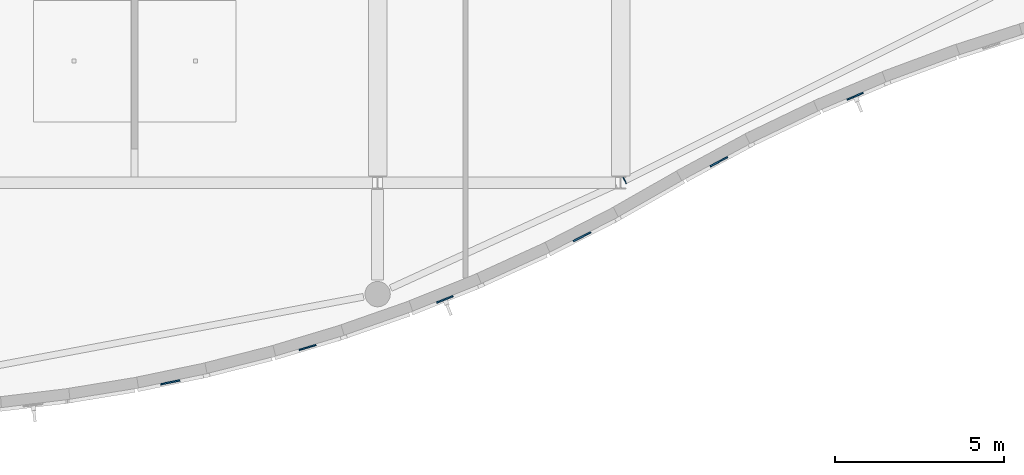
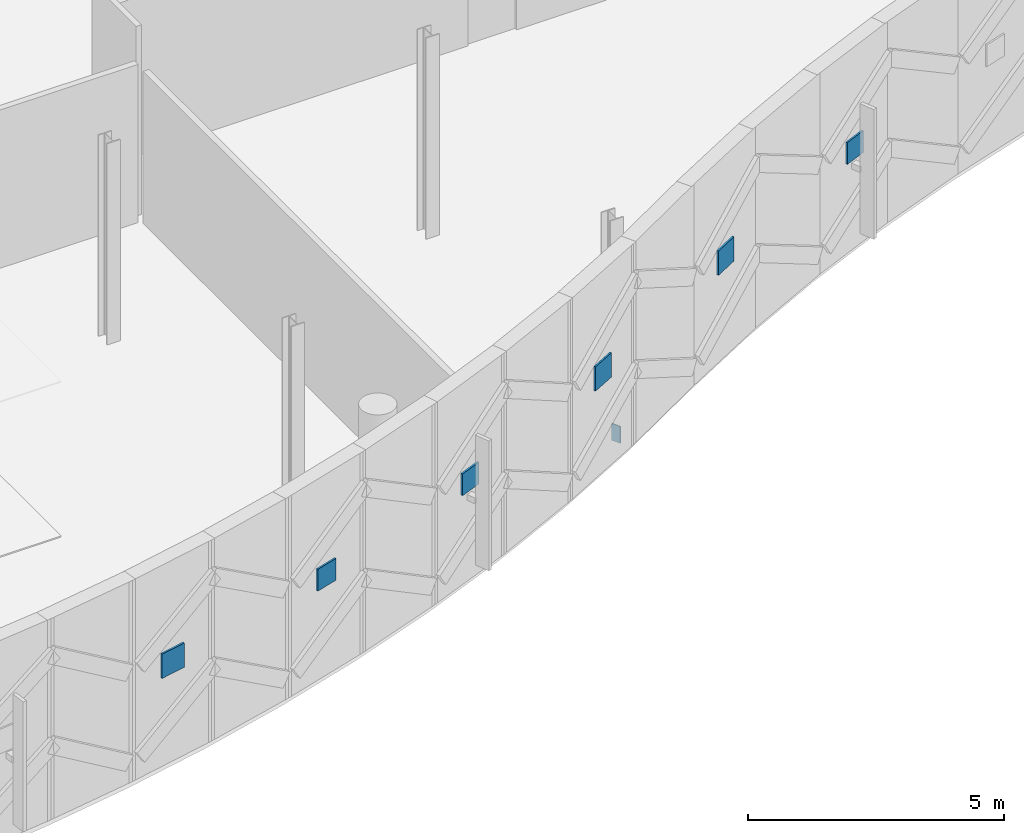
# One storey, part 126 of 193: 7 plates.
"""IFC4 building model written with IfcOpenShell, lengths in metres."""

from ifc_helpers import new_model, si_unit, direction, frame, origin, origin_2d, place, context, subcontext, project, spatial, rectangle, extrude, material, layer, layer_set, type_object, element, save


model = new_model("IFC4")

# Units and contexts
model_context = context("Model", 3, precision=1e-05, world=origin(), true_north=direction((0.0, 1.0)))
body_context = subcontext(model_context, "Body", "Model", "MODEL_VIEW")
ifc_project = project(units=[si_unit("LENGTHUNIT", "METRE"), si_unit("AREAUNIT", "SQUARE_METRE"), si_unit("VOLUMEUNIT", "CUBIC_METRE"), si_unit("PLANEANGLEUNIT", "RADIAN"), si_unit("MASSUNIT", "GRAM", prefix="KILO")], contexts=[model_context])

# Site, building, storey
site_placement = place(None, origin())
site = spatial("IfcSite", under=ifc_project, at=site_placement, CompositionType="ELEMENT")
building_placement = place(site_placement, origin())
building = spatial("IfcBuilding", under=site, at=building_placement, Name="Cendralis Lancet Convention Centre", CompositionType="ELEMENT")
storey_placement = place(building_placement, frame((0.0, 0.0, 10.199951171875)))
storey = spatial("IfcBuildingStorey", under=building, at=storey_placement, Name="L02", CompositionType="ELEMENT", Elevation=10.199951171875)

# Plates
ifc_material_1 = material(Name="Warm buff sandstone chevron cassette", Category="masonry")
ifc_layer_1 = layer(ifc_material_1, 0.044921875, Name="Warm buff sandstone chevron cassette")
ifc_layer_set_1 = layer_set([ifc_layer_1], Name="Warm buff sandstone chevron cassette")
plate_type_1 = type_object("IfcPlateType", Name="ARC-PL-CHV1", PredefinedType="SHEET", material=ifc_layer_set_1)
plate_1_placement = place(storey_placement, frame((78.055908203125, 5.599365234375, 2.130126953125), z_axis=(0.0, 0.0, 1.0), x_axis=(0.889543984432, 0.456849537333, 0.0)))
element("IfcPlate", 1, at=plate_1_placement, inside=storey, type_object=plate_type_1, Name="Chevron Keystone Cassette CHV-S1 #0059", PredefinedType="SHEET", context=body_context, shape_type="SweptSolid", body=[
    extrude(rectangle(XDim=0.580078125, YDim=0.044921875, at=origin_2d()), origin(), (0.0, 0.0, 1.0), 0.580078125),
])
ifc_material_2 = material(Name="Dark Andean slate chevron cassette", Category="masonry")
ifc_layer_2 = layer(ifc_material_2, 0.048095703125, Name="Dark Andean slate chevron cassette")
ifc_layer_set_2 = layer_set([ifc_layer_2], Name="Dark Andean slate chevron cassette")
plate_type_2 = type_object("IfcPlateType", Name="ARC-PL-CHV2", PredefinedType="SHEET", material=ifc_layer_set_2)
for number, where, z_axis, x_axis, name in (
    (2, (65.857666015625, 1.285400390625, 2.130126953125), (0.0, 0.0, 1.0), (0.979084550851, 0.203453784151, 0.0), "Chevron Keystone Cassette CHV-D1 #0050"),
    (3, (82.109375, 7.822265625, 2.130126953125), (0.0, 0.0, 1.0), (0.880179301323, 0.474641335667, 0.0), "Chevron Keystone Cassette CHV-D1 #0062"),
):
    element("IfcPlate", number, at=place(storey_placement, frame(where, z_axis=z_axis, x_axis=x_axis)), inside=storey, type_object=plate_type_2, Name=name, PredefinedType="SHEET", context=body_context, shape_type="SweptSolid", body=[
        extrude(rectangle(XDim=0.580078125, YDim=0.048095703125, at=origin_2d()), origin(), (0.0, 0.0, 1.0), 0.580078125),
    ])
ifc_layer_3 = layer(ifc_material_1, 0.044921875, Name="Warm buff sandstone chevron cassette")
ifc_layer_set_3 = layer_set([ifc_layer_3], Name="Warm buff sandstone chevron cassette")
plate_type_3 = type_object("IfcPlateType", Name="ARC-PL-CHV3", PredefinedType="SHEET", material=ifc_layer_set_3)
for number, where, z_axis, x_axis, name in (
    (4, (69.923828125, 2.318359375, 2.16015625), (0.0, 0.0, 1.0), (0.957631699488, 0.287995708538, 0.0), "Chevron Keystone Cassette CHV-S2 #0053"),
    (5, (86.144775390625, 9.76171875, 2.16015625), (0.0, 0.0, 1.0), (0.920756984653, 0.390136610961, 0.0), "Chevron Keystone Cassette CHV-S2 #0065"),
):
    element("IfcPlate", number, at=place(storey_placement, frame(where, z_axis=z_axis, x_axis=x_axis)), inside=storey, type_object=plate_type_3, Name=name, PredefinedType="SHEET", context=body_context, shape_type="SweptSolid", body=[
        extrude(rectangle(XDim=0.52001953125, YDim=0.044921875, at=origin_2d()), origin(), (0.0, 0.0, 1.0), 0.52001953125),
    ])
ifc_layer_4 = layer(ifc_material_2, 0.048095703125, Name="Dark Andean slate chevron cassette")
ifc_layer_set_4 = layer_set([ifc_layer_4], Name="Dark Andean slate chevron cassette")
plate_type_4 = type_object("IfcPlateType", Name="ARC-PL-CHV4", PredefinedType="SHEET", material=ifc_layer_set_4)
plate_2_placement = place(storey_placement, frame((73.989990234375, 3.742919921875, 2.16015625), z_axis=(0.0, 0.0, 1.0), x_axis=(0.928063926041, 0.372420930105, 0.0)))
element("IfcPlate", 6, at=plate_2_placement, inside=storey, type_object=plate_type_4, Name="Chevron Keystone Cassette CHV-D2 #0056", PredefinedType="SHEET", context=body_context, shape_type="SweptSolid", body=[
    extrude(rectangle(XDim=0.52001953125, YDim=0.048095703125, at=origin_2d()), origin(), (0.0, 0.0, 1.0), 0.52001953125),
])
ifc_material_3 = material(Name="Steel S355", Category="steel")
ifc_layer_5 = layer(ifc_material_3, 0.02392578125, Name="Steel S355")
ifc_layer_set_5 = layer_set([ifc_layer_5], Name="Steel S355")
plate_type_5 = type_object("IfcPlateType", Name="STR-PL-EP24", PredefinedType="USERDEFINED", material=ifc_layer_set_5)
plate_3_placement = place(storey_placement, frame((79.323486328125, 7.26171875, -0.699951171875), z_axis=(0.0, 0.0, 1.0), x_axis=(0.89442680992, 0.44721435766, 0.0)))
element("IfcPlate", 7, at=plate_3_placement, inside=storey, type_object=plate_type_5, Name="L02 Spandrel SP03 Sealed End Plate EP-24", ObjectType="GUSSET PLATE", PredefinedType="USERDEFINED", context=body_context, shape_type="SweptSolid", body=[
    extrude(rectangle(XDim=0.02392578125, YDim=0.199951171875, at=origin_2d()), origin(), (0.0, 0.0, 1.0), 0.39990234375),
])

save(model, "model.ifc")
